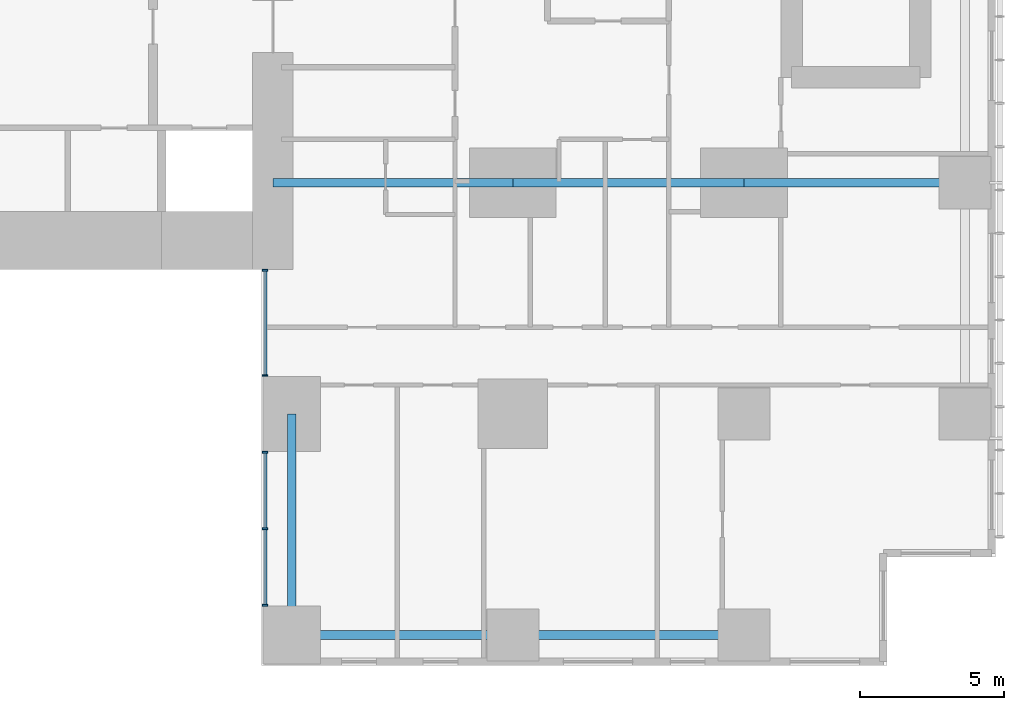
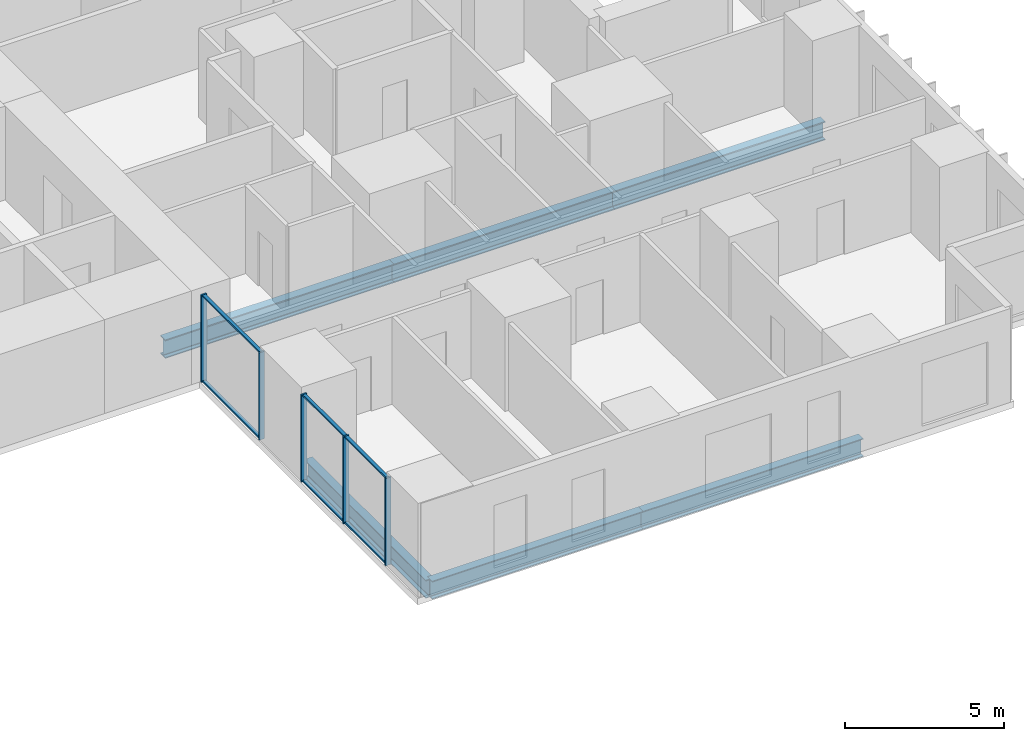
# One storey, part 3 of 16: 11 members, 6 beams, 2 elements without a shape of their own.
"""IFC4 building model written with IfcOpenShell, lengths in metres."""

from ifc_helpers import new_model, si_unit, direction, frame, origin, origin_2d, place, context, subcontext, project, spatial, rectangle, i_section, extrude, material, layer, layer_set, material_profile, profile_set, type_object, element, aggregate, save


model = new_model("IFC4")

# Units and contexts
model_context = context("Model", 3, precision=1e-05, world=origin(), true_north=direction((0.0, 1.0)))
body_context = subcontext(model_context, "Body", "Model", "MODEL_VIEW")
ifc_project = project(units=[si_unit("LENGTHUNIT", "METRE"), si_unit("AREAUNIT", "SQUARE_METRE"), si_unit("VOLUMEUNIT", "CUBIC_METRE"), si_unit("PLANEANGLEUNIT", "RADIAN"), si_unit("MASSUNIT", "GRAM", prefix="KILO")], contexts=[model_context])

# Site, building, storey
site_placement = place(None, origin())
site = spatial("IfcSite", under=ifc_project, at=site_placement, CompositionType="ELEMENT")
building_placement = place(site_placement, origin())
building = spatial("IfcBuilding", under=site, at=building_placement, Name="Cleftline Residences", CompositionType="ELEMENT")
storey_placement = place(building_placement, frame((0.0, 0.0, 218.199951171875)))
storey = spatial("IfcBuildingStorey", under=building, at=storey_placement, Name="L57", CompositionType="ELEMENT", Elevation=218.199951171875)

# Beams
ifc_material_1 = material(Name="Steel S355", Category="steel")
ifc_material_profile_1 = material_profile(ifc_material_1, i_section(OverallWidth=0.300048828125, OverallDepth=0.699951171875, WebThickness=0.01708984375, FlangeThickness=0.031982421875, FilletRadius=0.027099609375, at=origin_2d()))
ifc_profile_set_1 = profile_set([ifc_material_profile_1], Name="Steel S355")
beam_type_1 = type_object("IfcBeamType", Name="BEAM HEB 700", PredefinedType="BEAM", material=ifc_profile_set_1)
beam_1_placement = place(storey_placement, frame((58.0, 0.35009765625, -0.599853515625), z_axis=(-1.0, 0.0, 0.0), x_axis=(0.0, -1.0, 0.0)))
element("IfcBeam", 1, at=beam_1_placement, inside=storey, type_object=beam_type_1, Name="Edge beam", PredefinedType="BEAM", context=body_context, shape_type="SweptSolid", body=[
    extrude(i_section(OverallWidth=0.300048828125, OverallDepth=0.699951171875, WebThickness=0.01708984375, FlangeThickness=0.031982421875, FilletRadius=0.027099609375, at=origin_2d()), origin(), (0.0, 0.0, 1.0), 8.0),
])
for number, where, z_axis, x_axis, name in (
    (2, (50.0, 0.35009765625, -0.599853515625), (-1.0, 0.0, 0.0), (0.0, -1.0, 0.0), "Edge beam"),
    (3, (42.35009765625, 0.35009765625, -0.599853515625), (0.0, 1.0, 0.0), (-1.0, 0.0, 0.0), "Edge beam"),
):
    element("IfcBeam", number, at=place(storey_placement, frame(where, z_axis=z_axis, x_axis=x_axis)), inside=storey, type_object=beam_type_1, Name=name, PredefinedType="BEAM", context=body_context, shape_type="SweptSolid", body=[
        extrude(i_section(OverallWidth=0.300048828125, OverallDepth=0.699951171875, WebThickness=0.01708984375, FlangeThickness=0.031982421875, FilletRadius=0.027099609375, at=origin_2d()), origin(), (0.0, 0.0, 1.0), 7.64990234375),
    ])
ifc_material_2 = material(Name="Steel S355", Category="steel")
ifc_material_profile_2 = material_profile(ifc_material_2, i_section(OverallWidth=0.303955078125, OverallDepth=0.716064453125, WebThickness=0.02099609375, FlangeThickness=0.0400390625, FilletRadius=0.027099609375, at=origin_2d()))
ifc_profile_set_2 = profile_set([ifc_material_profile_2], Name="Steel S355")
beam_type_2 = type_object("IfcBeamType", Name="BEAM HEM 700", PredefinedType="BEAM", material=ifc_profile_set_2)
beam_2_placement = place(storey_placement, frame((65.64990234375, 16.0, -0.60791015625), z_axis=(-1.0, 0.0, 0.0), x_axis=(0.0, -1.0, 0.0)))
element("IfcBeam", 4, at=beam_2_placement, inside=storey, type_object=beam_type_2, Name="Band beam", PredefinedType="BEAM", context=body_context, shape_type="SweptSolid", body=[
    extrude(i_section(OverallWidth=0.303955078125, OverallDepth=0.716064453125, WebThickness=0.02099609375, FlangeThickness=0.0400390625, FilletRadius=0.027099609375, at=origin_2d()), origin(), (0.0, 0.0, 1.0), 7.64990234375),
])
beam_3_placement = place(storey_placement, frame((58.0, 16.0, -0.60791015625), z_axis=(-1.0, 0.0, 0.0), x_axis=(0.0, -1.0, 0.0)))
element("IfcBeam", 5, at=beam_3_placement, inside=storey, type_object=beam_type_2, Name="Band beam", PredefinedType="BEAM", context=body_context, shape_type="SweptSolid", body=[
    extrude(i_section(OverallWidth=0.303955078125, OverallDepth=0.716064453125, WebThickness=0.02099609375, FlangeThickness=0.0400390625, FilletRadius=0.027099609375, at=origin_2d()), origin(), (0.0, 0.0, 1.0), 8.0),
])
beam_4_placement = place(storey_placement, frame((50.0, 16.0, -0.60791015625), z_axis=(-1.0, 0.0, 0.0), x_axis=(0.0, -1.0, 0.0)))
element("IfcBeam", 6, at=beam_4_placement, inside=storey, type_object=beam_type_2, Name="Band beam", PredefinedType="BEAM", context=body_context, shape_type="SweptSolid", body=[
    extrude(i_section(OverallWidth=0.303955078125, OverallDepth=0.716064453125, WebThickness=0.02099609375, FlangeThickness=0.0400390625, FilletRadius=0.027099609375, at=origin_2d()), origin(), (0.0, 0.0, 1.0), 8.300048828125),
])

# Curtain wall, members
ifc_material_3 = material(Name="Aluminium framed curtain wall", Category="aluminium")
ifc_layer = layer(ifc_material_3, 0.199951171875)
ifc_layer_set = layer_set([ifc_layer], Name="CW1 CLEFT GLAZING")
curtain_wall_type = type_object("IfcCurtainWallType", Name="CW1 CLEFT GLAZING", PredefinedType="NOTDEFINED", material=ifc_layer_set)
curtain_wall_1_placement = place(storey_placement, origin())
curtain_wall_1 = element("IfcCurtainWall", 7, at=curtain_wall_1_placement, inside=storey, type_object=curtain_wall_type, Name="Curtain wall CW1", PredefinedType="NOTDEFINED")
ifc_material_4 = material(Name="Aluminium mullion", Category="aluminium")
ifc_material_profile_3 = material_profile(ifc_material_4, rectangle(XDim=0.199951171875, YDim=0.06005859375, at=origin_2d()))
ifc_profile_set_3 = profile_set([ifc_material_profile_3], Name="Aluminium mullion")
member_type_1 = type_object("IfcMemberType", Name="CW1 MULLION", PredefinedType="MULLION", material=ifc_profile_set_3)
member_1_placement = place(storey_placement, frame((41.425048828125, 12.969970703125, 0.0), z_axis=(0.0, 0.0, 1.0), x_axis=(1.0, 0.0, 0.0)))
member_1 = element("IfcMember", 8, at=member_1_placement, type_object=member_type_1, Name="CW1 mullion 1", PredefinedType="MULLION", context=body_context, shape_type="SweptSolid", body=[
    extrude(rectangle(XDim=0.199951171875, YDim=0.06005859375, at=origin_2d()), origin(), (0.0, 0.0, 1.0), 3.35009765625),
])
member_2_placement = place(storey_placement, frame((41.425048828125, 9.330078125, 0.0), z_axis=(0.0, 0.0, 1.0), x_axis=(1.0, 0.0, 0.0)))
member_2 = element("IfcMember", 9, at=member_2_placement, type_object=member_type_1, Name="CW1 mullion 2", PredefinedType="MULLION", context=body_context, shape_type="SweptSolid", body=[
    extrude(rectangle(XDim=0.199951171875, YDim=0.06005859375, at=origin_2d()), origin(), (0.0, 0.0, 1.0), 3.35009765625),
])

curtain_wall_2_placement = place(storey_placement, origin())
curtain_wall_2 = element("IfcCurtainWall", 10, at=curtain_wall_2_placement, inside=storey, type_object=curtain_wall_type, Name="Curtain wall CW1", PredefinedType="NOTDEFINED")
member_3_placement = place(storey_placement, frame((41.425048828125, 6.669921875, 0.0), z_axis=(0.0, 0.0, 1.0), x_axis=(1.0, 0.0, 0.0)))
member_3 = element("IfcMember", 11, at=member_3_placement, type_object=member_type_1, Name="CW1 mullion 1", PredefinedType="MULLION", context=body_context, shape_type="SweptSolid", body=[
    extrude(rectangle(XDim=0.199951171875, YDim=0.06005859375, at=origin_2d()), origin(), (0.0, 0.0, 1.0), 3.35009765625),
])
member_4_placement = place(storey_placement, frame((41.425048828125, 4.02490234375, 0.0), z_axis=(0.0, 0.0, 1.0), x_axis=(1.0, 0.0, 0.0)))
member_4 = element("IfcMember", 12, at=member_4_placement, type_object=member_type_1, Name="CW1 mullion 2", PredefinedType="MULLION", context=body_context, shape_type="SweptSolid", body=[
    extrude(rectangle(XDim=0.199951171875, YDim=0.06005859375, at=origin_2d()), origin(), (0.0, 0.0, 1.0), 3.35009765625),
])
member_5_placement = place(storey_placement, frame((41.425048828125, 1.3798828125, 0.0), z_axis=(0.0, 0.0, 1.0), x_axis=(1.0, 0.0, 0.0)))
member_5 = element("IfcMember", 13, at=member_5_placement, type_object=member_type_1, Name="CW1 mullion 3", PredefinedType="MULLION", context=body_context, shape_type="SweptSolid", body=[
    extrude(rectangle(XDim=0.199951171875, YDim=0.06005859375, at=origin_2d()), origin(), (0.0, 0.0, 1.0), 3.35009765625),
])

# Member
ifc_material_5 = material(Name="Aluminium transom", Category="aluminium")
ifc_material_profile_4 = material_profile(ifc_material_5, rectangle(XDim=0.1201171875, YDim=0.06005859375, at=origin_2d()))
ifc_profile_set_4 = profile_set([ifc_material_profile_4], Name="Aluminium transom")
member_type_2 = type_object("IfcMemberType", Name="CW1 TRANSOM", PredefinedType="USERDEFINED", material=ifc_profile_set_4)
member_6_placement = place(storey_placement, frame((41.425048828125, 12.93994140625, 0.030029296875), z_axis=(0.0, -1.0, 0.0), x_axis=(1.0, 0.0, 0.0)))
member_6 = element("IfcMember", 14, at=member_6_placement, type_object=member_type_2, Name="CW1 transom 1.1", ObjectType="TRANSOM", PredefinedType="USERDEFINED", context=body_context, shape_type="SweptSolid", body=[
    extrude(rectangle(XDim=0.1201171875, YDim=0.06005859375, at=origin_2d()), origin(), (0.0, 0.0, 1.0), 3.579833984375),
])

member_7_placement = place(storey_placement, frame((41.425048828125, 12.93994140625, 3.320068359375), z_axis=(0.0, -1.0, 0.0), x_axis=(1.0, 0.0, 0.0)))
member_7 = element("IfcMember", 15, at=member_7_placement, type_object=member_type_2, Name="CW1 transom 1.2", ObjectType="TRANSOM", PredefinedType="USERDEFINED", context=body_context, shape_type="SweptSolid", body=[
    extrude(rectangle(XDim=0.1201171875, YDim=0.06005859375, at=origin_2d()), origin(), (0.0, 0.0, 1.0), 3.579833984375),
])

aggregate(curtain_wall_1, [member_1, member_2, member_6, member_7])

member_8_placement = place(storey_placement, frame((41.425048828125, 6.639892578125, 0.030029296875), z_axis=(0.0, -1.0, 0.0), x_axis=(1.0, 0.0, 0.0)))
member_8 = element("IfcMember", 16, at=member_8_placement, type_object=member_type_2, Name="CW1 transom 1.1", ObjectType="TRANSOM", PredefinedType="USERDEFINED", context=body_context, shape_type="SweptSolid", body=[
    extrude(rectangle(XDim=0.1201171875, YDim=0.06005859375, at=origin_2d()), origin(), (0.0, 0.0, 1.0), 2.5849609375),
])

member_9_placement = place(storey_placement, frame((41.425048828125, 6.639892578125, 3.320068359375), z_axis=(0.0, -1.0, 0.0), x_axis=(1.0, 0.0, 0.0)))
member_9 = element("IfcMember", 17, at=member_9_placement, type_object=member_type_2, Name="CW1 transom 1.2", ObjectType="TRANSOM", PredefinedType="USERDEFINED", context=body_context, shape_type="SweptSolid", body=[
    extrude(rectangle(XDim=0.1201171875, YDim=0.06005859375, at=origin_2d()), origin(), (0.0, 0.0, 1.0), 2.5849609375),
])

member_10_placement = place(storey_placement, frame((41.425048828125, 3.9951171875, 0.030029296875), z_axis=(0.0, -1.0, 0.0), x_axis=(1.0, 0.0, 0.0)))
member_10 = element("IfcMember", 18, at=member_10_placement, type_object=member_type_2, Name="CW1 transom 2.1", ObjectType="TRANSOM", PredefinedType="USERDEFINED", context=body_context, shape_type="SweptSolid", body=[
    extrude(rectangle(XDim=0.1201171875, YDim=0.06005859375, at=origin_2d()), origin(), (0.0, 0.0, 1.0), 2.585205078125),
])

member_11_placement = place(storey_placement, frame((41.425048828125, 3.9951171875, 3.320068359375), z_axis=(0.0, -1.0, 0.0), x_axis=(1.0, 0.0, 0.0)))
member_11 = element("IfcMember", 19, at=member_11_placement, type_object=member_type_2, Name="CW1 transom 2.2", ObjectType="TRANSOM", PredefinedType="USERDEFINED", context=body_context, shape_type="SweptSolid", body=[
    extrude(rectangle(XDim=0.1201171875, YDim=0.06005859375, at=origin_2d()), origin(), (0.0, 0.0, 1.0), 2.585205078125),
])

aggregate(curtain_wall_2, [member_3, member_4, member_5, member_8, member_9, member_10, member_11])

save(model, "model.ifc")
